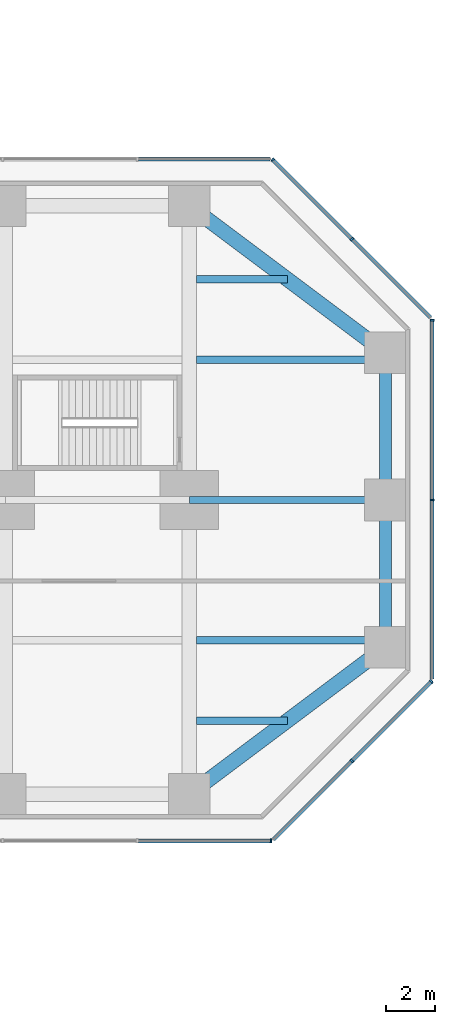
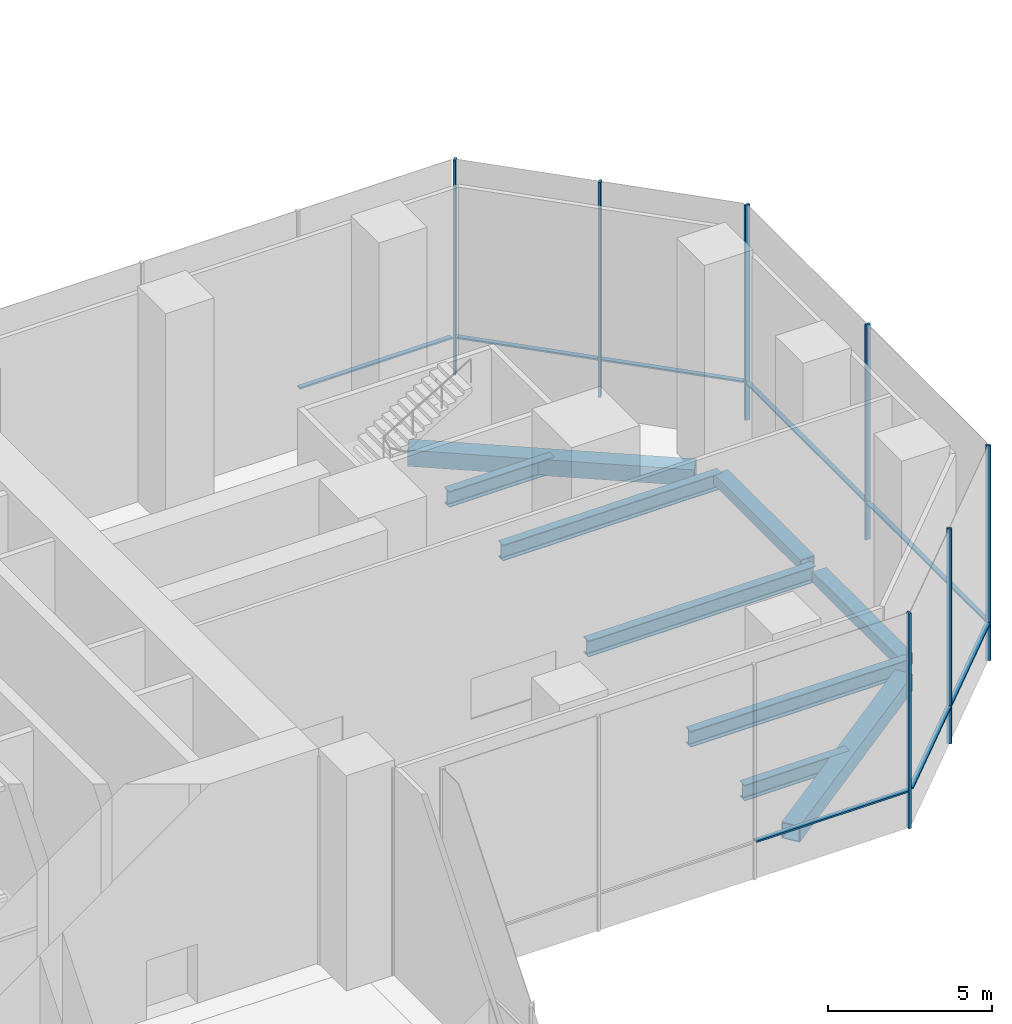
# One storey, part 11 of 25: 15 members, 9 beams, 5 elements without a shape of their own.
"""IFC4 building model written with IfcOpenShell, lengths in metres."""

from ifc_helpers import new_model, si_unit, direction, frame, origin, origin_2d, place, context, subcontext, project, spatial, rectangle, hollow_rectangle, i_section, extrude, material, material_profile, profile_set, type_object, element, aggregate, save


model = new_model("IFC4")

# Units and contexts
model_context = context("Model", 3, precision=1e-05, world=origin(), true_north=direction((0.0, 1.0)))
body_context = subcontext(model_context, "Body", "Model", "MODEL_VIEW")
ifc_project = project(units=[si_unit("LENGTHUNIT", "METRE"), si_unit("AREAUNIT", "SQUARE_METRE"), si_unit("VOLUMEUNIT", "CUBIC_METRE"), si_unit("PLANEANGLEUNIT", "RADIAN"), si_unit("MASSUNIT", "GRAM", prefix="KILO")], contexts=[model_context])

# Site, building, storey
site_placement = place(None, origin())
site = spatial("IfcSite", under=ifc_project, at=site_placement, CompositionType="ELEMENT")
building_placement = place(site_placement, origin())
building = spatial("IfcBuilding", under=site, at=building_placement, Name="Mizan Broadcast Tower", CompositionType="ELEMENT")
storey_placement = place(building_placement, frame((0.0, 0.0, 7.0)))
storey = spatial("IfcBuildingStorey", under=building, at=storey_placement, Name="L01", CompositionType="ELEMENT", Elevation=7.0)

# Beams
ifc_material_1 = material(Name="Steel S355", Category="steel")
ifc_material_profile_1 = material_profile(ifc_material_1, hollow_rectangle(XDim=0.5, YDim=0.39990234375, WallThickness=0.02490234375, at=origin_2d()), Name="BOX 400x500x25")
ifc_profile_set_1 = profile_set([ifc_material_profile_1], Name="Steel S355")
beam_type_1 = type_object("IfcBeamType", Name="EDGE BEAM BOX 400x500x25", PredefinedType="SPANDREL", material=ifc_profile_set_1)
for number, where, z_axis, x_axis, name in (
    (1, (35.0, -5.639892578125, -0.449951171875), (0.0, 1.0, 0.0), (-1.0, 0.0, 0.0), "Edge beam BOX 400x500x25 L01 east arm"),
    (2, (35.0, 5.639892578125, -0.449951171875), (0.0, -1.0, 0.0), (1.0, 0.0, 0.0), "Edge beam BOX 400x500x25 L01 east arm"),
):
    element("IfcBeam", number, at=place(storey_placement, frame(where, z_axis=z_axis, x_axis=x_axis)), inside=storey, type_object=beam_type_1, Name=name, PredefinedType="SPANDREL", context=body_context, shape_type="SweptSolid", body=[
        extrude(hollow_rectangle(XDim=0.5, YDim=0.39990234375, WallThickness=0.02490234375, at=origin_2d()), origin(), (0.0, 0.0, 1.0), 5.27978515625),
    ])
ifc_material_2 = material(Name="Steel S355", Category="steel")
ifc_material_profile_2 = material_profile(ifc_material_2, hollow_rectangle(XDim=0.60009765625, YDim=0.60009765625, WallThickness=0.030029296875, at=origin_2d()), Name="BOX 600x600x30")
ifc_profile_set_2 = profile_set([ifc_material_profile_2], Name="Steel S355")
beam_type_2 = type_object("IfcBeamType", Name="EDGE BEAM BOX 600x600x30", PredefinedType="SPANDREL", material=ifc_profile_set_2)
for number, where, z_axis, x_axis, name in (
    (3, (27.47998046875, -11.639892578125, -0.550048828125), (0.800013316712, 0.599982243973, 0.0), (-0.599982243973, 0.800013316712, 0.0), "Edge beam BOX 600x600x30 L01 east arm"),
    (4, (27.47998046875, 11.639892578125, -0.550048828125), (0.800013316712, -0.599982243973, 0.0), (0.599982243973, 0.800013316712, 0.0), "Edge beam BOX 600x600x30 L01 east arm"),
):
    element("IfcBeam", number, at=place(storey_placement, frame(where, z_axis=z_axis, x_axis=x_axis)), inside=storey, type_object=beam_type_2, Name=name, PredefinedType="SPANDREL", context=body_context, shape_type="SweptSolid", body=[
        extrude(hollow_rectangle(XDim=0.60009765625, YDim=0.60009765625, WallThickness=0.030029296875, at=origin_2d()), origin(), (0.0, 0.0, 1.0), 8.7998046875),
    ])

# Curtain wall, member
ifc_material_3 = material(Name="Aluminium framed glazing", Category="aluminium")
curtain_wall_type = type_object("IfcCurtainWallType", Name="OUTER SKIN", PredefinedType="USERDEFINED", material=ifc_material_3)
curtain_wall_1_placement = place(storey_placement, origin())
curtain_wall_1 = element("IfcCurtainWall", 5, at=curtain_wall_1_placement, inside=storey, type_object=curtain_wall_type, Name="Outer skin L01 E side", ObjectType="OUTER SKIN", PredefinedType="USERDEFINED")
ifc_material_4 = material(Name="Aluminium, pale anodised", Category="aluminium")
ifc_material_profile_3 = material_profile(ifc_material_4, rectangle(XDim=0.159912109375, YDim=0.080078125, at=origin_2d()), Name="MULLION 160x80")
ifc_profile_set_3 = profile_set([ifc_material_profile_3], Name="Aluminium, pale anodised")
member_type_1 = type_object("IfcMemberType", Name="OUTER SKIN MULLION 80x160", PredefinedType="MULLION", material=ifc_profile_set_3)
member_1_placement = place(storey_placement, frame((30.332763671875, -13.89990234375, 0.0), z_axis=(0.0, 0.0, 1.0), x_axis=(0.0, 1.0, 0.0)))
member_1 = element("IfcMember", 6, at=member_1_placement, type_object=member_type_1, Name="Outer skin L01 E side mullion 4", PredefinedType="MULLION", context=body_context, shape_type="SweptSolid", body=[
    extrude(rectangle(XDim=0.159912109375, YDim=0.080078125, at=origin_2d()), origin(), (0.0, 0.0, 1.0), 8.0),
])

# Curtain wall, members
curtain_wall_2_placement = place(storey_placement, origin())
curtain_wall_2 = element("IfcCurtainWall", 7, at=curtain_wall_2_placement, inside=storey, type_object=curtain_wall_type, Name="Outer skin L01 E chamfer", ObjectType="OUTER SKIN", PredefinedType="USERDEFINED")
member_2_placement = place(storey_placement, frame((33.636474609375, -10.636474609375, 0.0), z_axis=(0.0, 0.0, 1.0), x_axis=(-0.707106781187, 0.707106781187, 0.0)))
member_2 = element("IfcMember", 8, at=member_2_placement, type_object=member_type_1, Name="Outer skin L01 E chamfer mullion 2", PredefinedType="MULLION", context=body_context, shape_type="SweptSolid", body=[
    extrude(rectangle(XDim=0.159912109375, YDim=0.080078125, at=origin_2d()), origin(), (0.0, 0.0, 1.0), 8.0),
])
member_3_placement = place(storey_placement, frame((36.871826171875, -7.401123046875, 0.0), z_axis=(0.0, 0.0, 1.0), x_axis=(-0.707106781187, 0.707106781187, 0.0)))
member_3 = element("IfcMember", 9, at=member_3_placement, type_object=member_type_1, Name="Outer skin L01 E chamfer mullion 3", PredefinedType="MULLION", context=body_context, shape_type="SweptSolid", body=[
    extrude(rectangle(XDim=0.159912109375, YDim=0.080078125, at=origin_2d()), origin(), (0.0, 0.0, 1.0), 8.0),
])

curtain_wall_3_placement = place(storey_placement, origin())
curtain_wall_3 = element("IfcCurtainWall", 10, at=curtain_wall_3_placement, inside=storey, type_object=curtain_wall_type, Name="Outer skin L01 E end", ObjectType="OUTER SKIN", PredefinedType="USERDEFINED")
member_4_placement = place(storey_placement, frame((36.89990234375, 0.0, 0.0), z_axis=(0.0, 0.0, 1.0), x_axis=(-1.0, 0.0, 0.0)))
member_4 = element("IfcMember", 11, at=member_4_placement, type_object=member_type_1, Name="Outer skin L01 E end mullion 2", PredefinedType="MULLION", context=body_context, shape_type="SweptSolid", body=[
    extrude(rectangle(XDim=0.159912109375, YDim=0.080078125, at=origin_2d()), origin(), (0.0, 0.0, 1.0), 8.0),
])
member_5_placement = place(storey_placement, frame((36.89990234375, 7.332763671875, 0.0), z_axis=(0.0, 0.0, 1.0), x_axis=(-1.0, 0.0, 0.0)))
member_5 = element("IfcMember", 12, at=member_5_placement, type_object=member_type_1, Name="Outer skin L01 E end mullion 3", PredefinedType="MULLION", context=body_context, shape_type="SweptSolid", body=[
    extrude(rectangle(XDim=0.159912109375, YDim=0.080078125, at=origin_2d()), origin(), (0.0, 0.0, 1.0), 8.0),
])

curtain_wall_4_placement = place(storey_placement, origin())
curtain_wall_4 = element("IfcCurtainWall", 13, at=curtain_wall_4_placement, inside=storey, type_object=curtain_wall_type, Name="Outer skin L01 E chamfer", ObjectType="OUTER SKIN", PredefinedType="USERDEFINED")
member_6_placement = place(storey_placement, frame((33.636474609375, 10.636474609375, 0.0), z_axis=(0.0, 0.0, 1.0), x_axis=(-0.707106781187, -0.707106781187, 0.0)))
member_6 = element("IfcMember", 14, at=member_6_placement, type_object=member_type_1, Name="Outer skin L01 E chamfer mullion 2", PredefinedType="MULLION", context=body_context, shape_type="SweptSolid", body=[
    extrude(rectangle(XDim=0.159912109375, YDim=0.080078125, at=origin_2d()), origin(), (0.0, 0.0, 1.0), 8.0),
])
member_7_placement = place(storey_placement, frame((30.401123046875, 13.871826171875, 0.0), z_axis=(0.0, 0.0, 1.0), x_axis=(-0.707106781187, -0.707106781187, 0.0)))
member_7 = element("IfcMember", 15, at=member_7_placement, type_object=member_type_1, Name="Outer skin L01 E chamfer mullion 3", PredefinedType="MULLION", context=body_context, shape_type="SweptSolid", body=[
    extrude(rectangle(XDim=0.159912109375, YDim=0.080078125, at=origin_2d()), origin(), (0.0, 0.0, 1.0), 8.0),
])

# Member
ifc_material_5 = material(Name="Aluminium, pale anodised", Category="aluminium")
ifc_material_profile_4 = material_profile(ifc_material_5, rectangle(XDim=0.159912109375, YDim=0.06005859375, at=origin_2d()), Name="TRANSOM 160x60")
ifc_profile_set_4 = profile_set([ifc_material_profile_4], Name="Aluminium, pale anodised")
member_type_2 = type_object("IfcMemberType", Name="OUTER SKIN TRANSOM 60x160", PredefinedType="USERDEFINED", material=ifc_profile_set_4)
member_8_placement = place(storey_placement, frame((24.921875, -13.89990234375, 1.39990234375), z_axis=(1.0, 0.0, 0.0), x_axis=(0.0, 1.0, 0.0)))
member_8 = element("IfcMember", 16, at=member_8_placement, type_object=member_type_2, Name="Outer skin L01 E side transom 3.1", ObjectType="TRANSOM", PredefinedType="USERDEFINED", context=body_context, shape_type="SweptSolid", body=[
    extrude(rectangle(XDim=0.159912109375, YDim=0.06005859375, at=origin_2d()), origin(), (0.0, 0.0, 1.0), 5.370849609375),
])

aggregate(curtain_wall_1, [member_1, member_8])

member_9_placement = place(storey_placement, frame((30.429443359375, -13.843505859375, 1.39990234375), z_axis=(0.707106781187, 0.707106781187, 0.0), x_axis=(-0.707106781187, 0.707106781187, 0.0)))
member_9 = element("IfcMember", 17, at=member_9_placement, type_object=member_type_2, Name="Outer skin L01 E chamfer transom 1.1", ObjectType="TRANSOM", PredefinedType="USERDEFINED", context=body_context, shape_type="SweptSolid", body=[
    extrude(rectangle(XDim=0.159912109375, YDim=0.06005859375, at=origin_2d()), origin(), (0.0, 0.0, 1.0), 4.495361328125),
])

member_10_placement = place(storey_placement, frame((33.664794921875, -10.608154296875, 1.39990234375), z_axis=(0.707106781187, 0.707106781187, 0.0), x_axis=(-0.707106781187, 0.707106781187, 0.0)))
member_10 = element("IfcMember", 18, at=member_10_placement, type_object=member_type_2, Name="Outer skin L01 E chamfer transom 2.1", ObjectType="TRANSOM", PredefinedType="USERDEFINED", context=body_context, shape_type="SweptSolid", body=[
    extrude(rectangle(XDim=0.159912109375, YDim=0.06005859375, at=origin_2d()), origin(), (0.0, 0.0, 1.0), 4.495361328125),
])

aggregate(curtain_wall_2, [member_2, member_3, member_9, member_10])

member_11_placement = place(storey_placement, frame((36.89990234375, -7.292724609375, 1.39990234375), z_axis=(0.0, 1.0, 0.0), x_axis=(-1.0, 0.0, 0.0)))
member_11 = element("IfcMember", 19, at=member_11_placement, type_object=member_type_2, Name="Outer skin L01 E end transom 1.1", ObjectType="TRANSOM", PredefinedType="USERDEFINED", context=body_context, shape_type="SweptSolid", body=[
    extrude(rectangle(XDim=0.159912109375, YDim=0.06005859375, at=origin_2d()), origin(), (0.0, 0.0, 1.0), 7.252685546875),
])

member_12_placement = place(storey_placement, frame((36.89990234375, 0.0400390625, 1.39990234375), z_axis=(0.0, 1.0, 0.0), x_axis=(-1.0, 0.0, 0.0)))
member_12 = element("IfcMember", 20, at=member_12_placement, type_object=member_type_2, Name="Outer skin L01 E end transom 2.1", ObjectType="TRANSOM", PredefinedType="USERDEFINED", context=body_context, shape_type="SweptSolid", body=[
    extrude(rectangle(XDim=0.159912109375, YDim=0.06005859375, at=origin_2d()), origin(), (0.0, 0.0, 1.0), 7.252685546875),
])

aggregate(curtain_wall_3, [member_4, member_5, member_11, member_12])

member_13_placement = place(storey_placement, frame((36.843505859375, 7.429443359375, 1.39990234375), z_axis=(-0.707106781187, 0.707106781187, 0.0), x_axis=(-0.707106781187, -0.707106781187, 0.0)))
member_13 = element("IfcMember", 21, at=member_13_placement, type_object=member_type_2, Name="Outer skin L01 E chamfer transom 1.1", ObjectType="TRANSOM", PredefinedType="USERDEFINED", context=body_context, shape_type="SweptSolid", body=[
    extrude(rectangle(XDim=0.159912109375, YDim=0.06005859375, at=origin_2d()), origin(), (0.0, 0.0, 1.0), 4.495361328125),
])

member_14_placement = place(storey_placement, frame((33.608154296875, 10.664794921875, 1.39990234375), z_axis=(-0.707106781187, 0.707106781187, 0.0), x_axis=(-0.707106781187, -0.707106781187, 0.0)))
member_14 = element("IfcMember", 22, at=member_14_placement, type_object=member_type_2, Name="Outer skin L01 E chamfer transom 2.1", ObjectType="TRANSOM", PredefinedType="USERDEFINED", context=body_context, shape_type="SweptSolid", body=[
    extrude(rectangle(XDim=0.159912109375, YDim=0.06005859375, at=origin_2d()), origin(), (0.0, 0.0, 1.0), 4.495361328125),
])

aggregate(curtain_wall_4, [member_6, member_7, member_13, member_14])

# Curtain wall, member
curtain_wall_5_placement = place(storey_placement, origin())
curtain_wall_5 = element("IfcCurtainWall", 23, at=curtain_wall_5_placement, inside=storey, type_object=curtain_wall_type, Name="Outer skin L01 E side", ObjectType="OUTER SKIN", PredefinedType="USERDEFINED")
member_15_placement = place(storey_placement, frame((30.292724609375, 13.89990234375, 1.39990234375), z_axis=(-1.0, 0.0, 0.0), x_axis=(0.0, -1.0, 0.0)))
member_15 = element("IfcMember", 24, at=member_15_placement, type_object=member_type_2, Name="Outer skin L01 E side transom 1.1", ObjectType="TRANSOM", PredefinedType="USERDEFINED", context=body_context, shape_type="SweptSolid", body=[
    extrude(rectangle(XDim=0.159912109375, YDim=0.06005859375, at=origin_2d()), origin(), (0.0, 0.0, 1.0), 5.370849609375),
])
aggregate(curtain_wall_5, [member_15])

# Beams
ifc_material_6 = material(Name="Steel S355", Category="steel")
ifc_material_profile_5 = material_profile(ifc_material_6, i_section(OverallWidth=0.300048828125, OverallDepth=0.590087890625, WebThickness=0.012939453125, FlangeThickness=0.02490234375, FilletRadius=0.027099609375, at=origin_2d()), Name="HEA 600")
ifc_profile_set_5 = profile_set([ifc_material_profile_5], Name="Steel S355")
beam_type_3 = type_object("IfcBeamType", Name="SECONDARY BEAM HEA 600", PredefinedType="JOIST", material=ifc_profile_set_5)
beam_1_placement = place(storey_placement, frame((27.300048828125, -5.71435546875, -0.544921875), z_axis=(1.0, 0.0, 0.0), x_axis=(0.0, 1.0, 0.0)))
element("IfcBeam", 25, at=beam_1_placement, inside=storey, type_object=beam_type_3, Name="Secondary beam HEA 600 L01 east arm", PredefinedType="JOIST", context=body_context, shape_type="SweptSolid", body=[
    extrude(i_section(OverallWidth=0.300048828125, OverallDepth=0.590087890625, WebThickness=0.012939453125, FlangeThickness=0.02490234375, FilletRadius=0.027099609375, at=origin_2d()), origin(), (0.0, 0.0, 1.0), 7.699951171875),
])
beam_2_placement = place(storey_placement, frame((27.300048828125, -9.0, -0.544921875), z_axis=(1.0, 0.0, 0.0), x_axis=(0.0, 1.0, 0.0)))
element("IfcBeam", 26, at=beam_2_placement, inside=storey, type_object=beam_type_3, Name="Secondary beam HEA 600 L01 east arm", PredefinedType="JOIST", context=body_context, shape_type="SweptSolid", body=[
    extrude(i_section(OverallWidth=0.300048828125, OverallDepth=0.590087890625, WebThickness=0.012939453125, FlangeThickness=0.02490234375, FilletRadius=0.027099609375, at=origin_2d()), origin(), (0.0, 0.0, 1.0), 3.699951171875),
])
beam_3_placement = place(storey_placement, frame((27.0, 0.0, -0.544921875), z_axis=(1.0, 0.0, 0.0), x_axis=(0.0, 1.0, 0.0)))
element("IfcBeam", 27, at=beam_3_placement, inside=storey, type_object=beam_type_3, Name="Secondary beam HEA 600 L01 east arm", PredefinedType="JOIST", context=body_context, shape_type="SweptSolid", body=[
    extrude(i_section(OverallWidth=0.300048828125, OverallDepth=0.590087890625, WebThickness=0.012939453125, FlangeThickness=0.02490234375, FilletRadius=0.027099609375, at=origin_2d()), origin(), (0.0, 0.0, 1.0), 8.0),
])
beam_4_placement = place(storey_placement, frame((27.300048828125, 5.71435546875, -0.544921875), z_axis=(1.0, 0.0, 0.0), x_axis=(0.0, 1.0, 0.0)))
element("IfcBeam", 28, at=beam_4_placement, inside=storey, type_object=beam_type_3, Name="Secondary beam HEA 600 L01 east arm", PredefinedType="JOIST", context=body_context, shape_type="SweptSolid", body=[
    extrude(i_section(OverallWidth=0.300048828125, OverallDepth=0.590087890625, WebThickness=0.012939453125, FlangeThickness=0.02490234375, FilletRadius=0.027099609375, at=origin_2d()), origin(), (0.0, 0.0, 1.0), 7.699951171875),
])
beam_5_placement = place(storey_placement, frame((27.300048828125, 9.0, -0.544921875), z_axis=(1.0, 0.0, 0.0), x_axis=(0.0, 1.0, 0.0)))
element("IfcBeam", 29, at=beam_5_placement, inside=storey, type_object=beam_type_3, Name="Secondary beam HEA 600 L01 east arm", PredefinedType="JOIST", context=body_context, shape_type="SweptSolid", body=[
    extrude(i_section(OverallWidth=0.300048828125, OverallDepth=0.590087890625, WebThickness=0.012939453125, FlangeThickness=0.02490234375, FilletRadius=0.027099609375, at=origin_2d()), origin(), (0.0, 0.0, 1.0), 3.699951171875),
])

save(model, "model.ifc")
